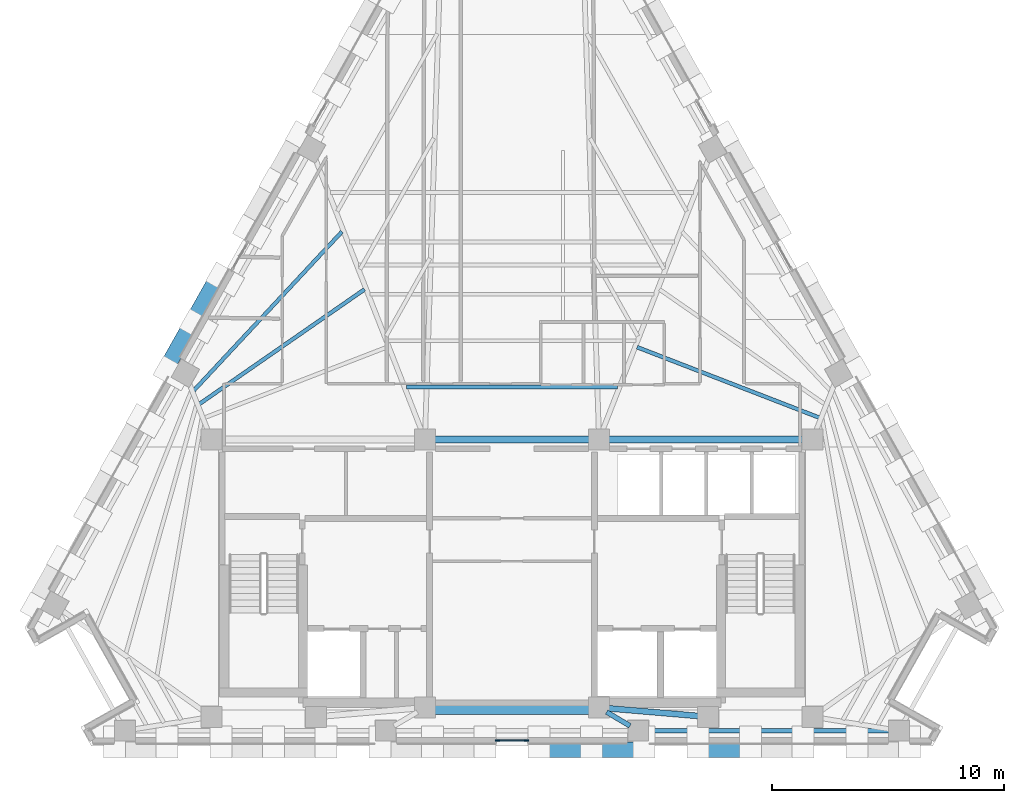
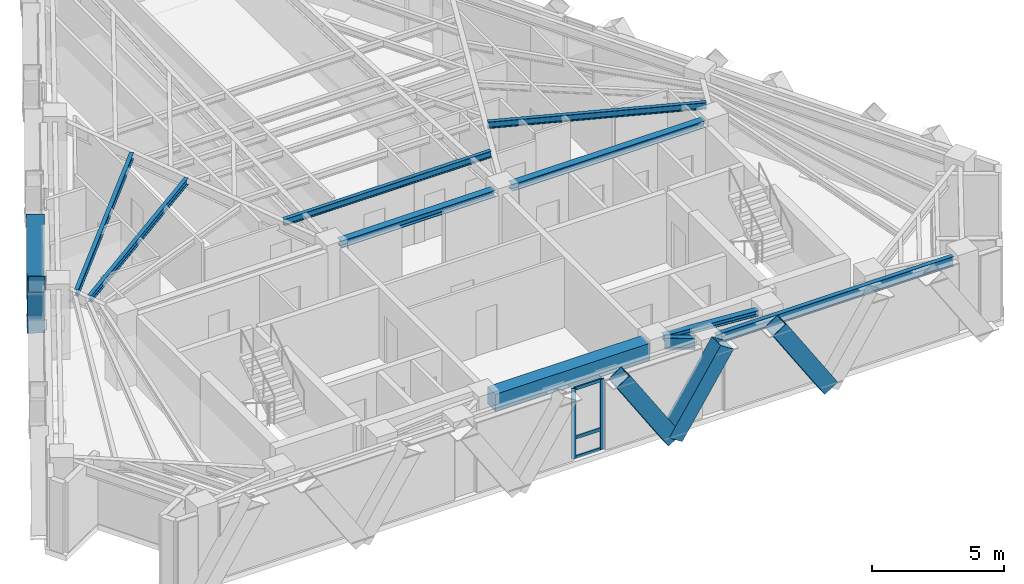
# One storey, part 2 of 12: 10 beams, 10 members, 1 element without a shape of its own.
"""IFC4 building model written with IfcOpenShell, lengths in metres."""

from ifc_helpers import new_model, si_unit, direction, frame, origin, origin_2d, place, context, subcontext, project, spatial, rectangle, hollow_rectangle, i_section, extrude, material, material_profile, profile_set, type_object, element, aggregate, save


model = new_model("IFC4")

# Units and contexts
model_context = context("Model", 3, precision=1e-05, world=origin(), true_north=direction((0.0, 1.0)))
body_context = subcontext(model_context, "Body", "Model", "MODEL_VIEW")
ifc_project = project(units=[si_unit("LENGTHUNIT", "METRE"), si_unit("AREAUNIT", "SQUARE_METRE"), si_unit("VOLUMEUNIT", "CUBIC_METRE"), si_unit("PLANEANGLEUNIT", "RADIAN"), si_unit("MASSUNIT", "GRAM", prefix="KILO")], contexts=[model_context])

# Site, building, storey
site_placement = place(None, origin())
site = spatial("IfcSite", under=ifc_project, at=site_placement, CompositionType="ELEMENT")
building_placement = place(site_placement, origin())
building = spatial("IfcBuilding", under=site, at=building_placement, Name="Quenlor Broadcast Tower", CompositionType="ELEMENT")
storey_placement = place(building_placement, frame((0.0, 0.0, 190.39990234375)))
storey = spatial("IfcBuildingStorey", under=building, at=storey_placement, Name="L52", CompositionType="ELEMENT", Elevation=190.39990234375)

# Curtain wall, members
ifc_material_1 = material(Name="Architectural Terracotta and Low-E Glazing", Category="masonry")
curtain_wall_type = type_object("IfcCurtainWallType", Name="Unitised Terracotta Curtain Wall System Z4", PredefinedType="NOTDEFINED", material=ifc_material_1)
curtain_wall_placement = place(storey_placement, origin())
curtain_wall = element("IfcCurtainWall", 1, at=curtain_wall_placement, inside=storey, type_object=curtain_wall_type, Name="L52 Curtain Wall CW4 (L52-S-G1)", PredefinedType="NOTDEFINED")
ifc_material_2 = material(Name="Aluminium 6063-T6", Category="aluminium")
ifc_material_profile_1 = material_profile(ifc_material_2, rectangle(XDim=0.068115234375, YDim=0.179931640625, at=origin_2d()))
ifc_profile_set_1 = profile_set([ifc_material_profile_1], Name="Aluminium 6063-T6 MULL68x180")
member_type_1 = type_object("IfcMemberType", Name="CW4 Aluminium Mullion MULL_CW4", PredefinedType="MULLION", material=ifc_profile_set_1)
member_1_placement = place(storey_placement, frame((0.62841796875, -17.77490234375, 0.0), z_axis=(0.0, 0.0, 1.0), x_axis=(0.0, -1.0, 0.0)))
member_1 = element("IfcMember", 2, at=member_1_placement, type_object=member_type_1, Name="CW4 mullion 1", PredefinedType="MULLION", context=body_context, shape_type="SweptSolid", body=[
    extrude(rectangle(XDim=0.068115234375, YDim=0.179931640625, at=origin_2d()), origin(), (0.0, 0.0, 1.0), 3.25),
])
member_2_placement = place(storey_placement, frame((-0.62841796875, -17.77490234375, 0.0), z_axis=(0.0, 0.0, 1.0), x_axis=(0.0, -1.0, 0.0)))
member_2 = element("IfcMember", 3, at=member_2_placement, type_object=member_type_1, Name="CW4 mullion 2", PredefinedType="MULLION", context=body_context, shape_type="SweptSolid", body=[
    extrude(rectangle(XDim=0.068115234375, YDim=0.179931640625, at=origin_2d()), origin(), (0.0, 0.0, 1.0), 3.25),
])
ifc_material_3 = material(Name="Aluminium 6063-T6", Category="aluminium")
ifc_material_profile_2 = material_profile(ifc_material_3, rectangle(XDim=0.068115234375, YDim=0.14990234375, at=origin_2d()))
ifc_profile_set_2 = profile_set([ifc_material_profile_2], Name="Aluminium 6063-T6 TRAN68x150")
member_type_2 = type_object("IfcMemberType", Name="CW4 Aluminium Transom TRAN_CW4", PredefinedType="USERDEFINED", material=ifc_profile_set_2)
member_3_placement = place(storey_placement, frame((0.59423828125, -17.77490234375, 0.0341796875), z_axis=(-1.0, 0.0, 0.0), x_axis=(0.0, -1.0, 0.0)))
member_3 = element("IfcMember", 4, at=member_3_placement, type_object=member_type_2, Name="CW4 transom 1.1", ObjectType="TRANSOM", PredefinedType="USERDEFINED", context=body_context, shape_type="SweptSolid", body=[
    extrude(rectangle(XDim=0.068115234375, YDim=0.14990234375, at=origin_2d()), origin(), (0.0, 0.0, 1.0), 1.1884765625),
])
member_4_placement = place(storey_placement, frame((0.59423828125, -17.77490234375, 0.9501953125), z_axis=(-1.0, 0.0, 0.0), x_axis=(0.0, -1.0, 0.0)))
member_4 = element("IfcMember", 5, at=member_4_placement, type_object=member_type_2, Name="CW4 transom 1.2", ObjectType="TRANSOM", PredefinedType="USERDEFINED", context=body_context, shape_type="SweptSolid", body=[
    extrude(rectangle(XDim=0.068115234375, YDim=0.14990234375, at=origin_2d()), origin(), (0.0, 0.0, 1.0), 1.1884765625),
])
member_5_placement = place(storey_placement, frame((0.59423828125, -17.77490234375, 3.216064453125), z_axis=(-1.0, 0.0, 0.0), x_axis=(0.0, -1.0, 0.0)))
member_5 = element("IfcMember", 6, at=member_5_placement, type_object=member_type_2, Name="CW4 transom 1.3", ObjectType="TRANSOM", PredefinedType="USERDEFINED", context=body_context, shape_type="SweptSolid", body=[
    extrude(rectangle(XDim=0.068115234375, YDim=0.14990234375, at=origin_2d()), origin(), (0.0, 0.0, 1.0), 1.1884765625),
])
aggregate(curtain_wall, [member_1, member_2, member_3, member_4, member_5])

# Beams
ifc_material_4 = material(Name="Concrete C50/60", Category="concrete")
ifc_material_profile_3 = material_profile(ifc_material_4, rectangle(XDim=0.60009765625, YDim=0.800048828125, at=origin_2d()))
ifc_profile_set_3 = profile_set([ifc_material_profile_3], Name="Concrete C50/60 RCB600x800")
beam_type_1 = type_object("IfcBeamType", Name="Core Coupling Beam Concrete C50/60 600x800", PredefinedType="BEAM", material=ifc_profile_set_3)
beam_1_placement = place(storey_placement, frame((-3.389892578125, -16.35009765625, 2.85009765625), z_axis=(1.0, 0.0, 0.0), x_axis=(0.0, 1.0, 0.0)))
element("IfcBeam", 7, at=beam_1_placement, inside=storey, type_object=beam_type_1, Name="L52 Core Coupling Beam 6", PredefinedType="BEAM", context=body_context, shape_type="SweptSolid", body=[
    extrude(rectangle(XDim=0.60009765625, YDim=0.800048828125, at=origin_2d()), origin(), (0.0, 0.0, 1.0), 6.77978515625),
])
ifc_material_5 = material(Name="Steel S355", Category="steel")
ifc_material_profile_4 = material_profile(ifc_material_5, i_section(OverallWidth=0.304931640625, OverallDepth=0.30810546875, WebThickness=0.010009765625, FlangeThickness=0.015380859375, FilletRadius=0.0166015625, at=origin_2d()))
ifc_profile_set_4 = profile_set([ifc_material_profile_4], Name="Steel S355 310UC96.8")
beam_type_2 = type_object("IfcBeamType", Name="Core Header Beam Steel S355 310UC96.8", PredefinedType="BEAM", material=ifc_profile_set_4)
beam_2_placement = place(storey_placement, frame((-3.389892578125, -4.800048828125, 3.09619140625), z_axis=(1.0, 0.0, 0.0), x_axis=(0.0, 1.0, 0.0)))
element("IfcBeam", 8, at=beam_2_placement, inside=storey, type_object=beam_type_2, Name="L52 Core Header Beam 2", PredefinedType="BEAM", context=body_context, shape_type="SweptSolid", body=[
    extrude(i_section(OverallWidth=0.304931640625, OverallDepth=0.30810546875, WebThickness=0.010009765625, FlangeThickness=0.015380859375, FilletRadius=0.0166015625, at=origin_2d()), origin(), (0.0, 0.0, 1.0), 6.77978515625),
])
ifc_material_6 = material(Name="Steel S355", Category="steel")
ifc_material_profile_5 = material_profile(ifc_material_6, i_section(OverallWidth=0.25390625, OverallDepth=0.25390625, WebThickness=0.008544921875, FlangeThickness=0.01416015625, FilletRadius=0.013916015625, at=origin_2d()))
ifc_profile_set_5 = profile_set([ifc_material_profile_5], Name="Steel S355 250UC72.9")
beam_type_3 = type_object("IfcBeamType", Name="Core Opening Lintel Beam Steel S355 250UC72.9", PredefinedType="LINTEL", material=ifc_profile_set_5)
beam_3_placement = place(storey_placement, frame((4.108642578125, -16.380615234375, 3.123291015625), z_axis=(0.996399763903, -0.084779186679, 0.0), x_axis=(0.084779186679, 0.996399763903, 0.0)))
element("IfcBeam", 9, at=beam_3_placement, inside=storey, type_object=beam_type_3, Name="L52 Core Opening Lintel Beam 5", PredefinedType="LINTEL", context=body_context, shape_type="SweptSolid", body=[
    extrude(i_section(OverallWidth=0.25390625, OverallDepth=0.25390625, WebThickness=0.008544921875, FlangeThickness=0.01416015625, FilletRadius=0.013916015625, at=origin_2d()), origin(), (0.0, 0.0, 1.0), 3.9970703125),
])
ifc_material_7 = material(Name="Steel S355", Category="steel")
ifc_material_profile_6 = material_profile(ifc_material_7, i_section(OverallWidth=0.306884765625, OverallDepth=0.314697265625, WebThickness=0.011962890625, FlangeThickness=0.018798828125, FilletRadius=0.0166015625, at=origin_2d()))
ifc_profile_set_6 = profile_set([ifc_material_profile_6], Name="Steel S355 310UC118")
beam_type_4 = type_object("IfcBeamType", Name="Core Tie Beam Steel S355 310UC118", PredefinedType="BEAM", material=ifc_profile_set_6)
beam_4_placement = place(storey_placement, frame((4.110107421875, -4.800048828125, 3.0927734375), z_axis=(1.0, 0.0, 0.0), x_axis=(0.0, 1.0, 0.0)))
element("IfcBeam", 10, at=beam_4_placement, inside=storey, type_object=beam_type_4, Name="L52 Core Tie Beam 3", PredefinedType="BEAM", context=body_context, shape_type="SweptSolid", body=[
    extrude(i_section(OverallWidth=0.306884765625, OverallDepth=0.314697265625, WebThickness=0.011962890625, FlangeThickness=0.018798828125, FilletRadius=0.0166015625, at=origin_2d()), origin(), (0.0, 0.0, 1.0), 8.47998046875),
])

# Members
ifc_material_8 = material(Name="Steel S355", Category="steel")
ifc_material_profile_7 = material_profile(ifc_material_8, hollow_rectangle(XDim=0.679931640625, YDim=0.679931640625, WallThickness=0.02490234375, at=origin_2d()))
ifc_profile_set_7 = profile_set([ifc_material_profile_7], Name="Steel S355 RHS680x680x25")
member_type_3 = type_object("IfcMemberType", Name="Perimeter Diagonal Lattice Brace Z3-Z4 Steel S355 RHS680x25", PredefinedType="BRACE", material=ifc_profile_set_7)
for number, where, z_axis, x_axis, name in (
    (11, (10.261962890625, -18.169921875, -0.119873046875), (-0.541794306908, 0.0, 0.840511111766), (0.0, -1.0, 0.0), "L52 Perimeter Diamond Lattice S-C2S"),
    (12, (3.43896484375, -18.169921875, -0.119873046875), (0.541794306908, 0.0, 0.840511111766), (0.0, 1.0, 0.0), "L52 Perimeter Diamond Lattice S-C2B"),
    (13, (3.41162109375, -18.169921875, -0.119873046875), (-0.541794306908, 0.0, 0.840511111766), (0.0, -1.0, 0.0), "L52 Perimeter Diamond Lattice S-C3S"),
):
    element("IfcMember", number, at=place(storey_placement, frame(where, z_axis=z_axis, x_axis=x_axis)), inside=storey, type_object=member_type_3, Name=name, PredefinedType="BRACE", context=body_context, shape_type="SweptSolid", body=[
        extrude(hollow_rectangle(XDim=0.679931640625, YDim=0.679931640625, WallThickness=0.02490234375, at=origin_2d()), origin(), (0.0, 0.0, 1.0), 4.1640625),
    ])
for number, where, z_axis, x_axis, name in (
    (14, (-13.794677734375, 0.22314453125, -0.119873046875), (-0.269485495908, -0.479188912076, 0.835317636614), (0.871620820774, -0.490180726664, 0.0), "L52 Perimeter Diamond Lattice NW-C2B"),
    (15, (-13.781005859375, 0.24755859375, -0.119873046875), (0.269547055694, 0.479136497832, 0.835327840559), (-0.871550060774, 0.49030652817, 0.0), "L52 Perimeter Diamond Lattice NW-C3S"),
):
    element("IfcMember", number, at=place(storey_placement, frame(where, z_axis=z_axis, x_axis=x_axis)), inside=storey, type_object=member_type_3, Name=name, PredefinedType="BRACE", context=body_context, shape_type="SweptSolid", body=[
        extrude(hollow_rectangle(XDim=0.679931640625, YDim=0.679931640625, WallThickness=0.02490234375, at=origin_2d()), origin(), (0.0, 0.0, 1.0), 4.18994140625),
    ])

# Beams
ifc_material_9 = material(Name="Steel S355", Category="steel")
ifc_material_profile_8 = material_profile(ifc_material_9, i_section(OverallWidth=0.18994140625, OverallDepth=0.453857421875, WebThickness=0.008544921875, FlangeThickness=0.0126953125, FilletRadius=0.011474609375, at=origin_2d()))
ifc_profile_set_8 = profile_set([ifc_material_profile_8], Name="Steel S355 460UB67.1")
beam_type_5 = type_object("IfcBeamType", Name="Perimeter Spandrel Beam Z4 Steel S355 460UB67.1", PredefinedType="SPANDREL", material=ifc_profile_set_8)
beam_5_placement = place(storey_placement, frame((5.847900390625, -17.35009765625, 3.023193359375), z_axis=(1.0, 0.0, 0.0), x_axis=(0.0, 1.0, 0.0)))
element("IfcBeam", 16, at=beam_5_placement, inside=storey, type_object=beam_type_5, Name="L52 Spandrel Beam S3-S4", PredefinedType="SPANDREL", context=body_context, shape_type="SweptSolid", body=[
    extrude(i_section(OverallWidth=0.18994140625, OverallDepth=0.453857421875, WebThickness=0.008544921875, FlangeThickness=0.0126953125, FilletRadius=0.011474609375, at=origin_2d()), origin(), (0.0, 0.0, 1.0), 10.41796875),
])
ifc_material_10 = material(Name="Steel S355", Category="steel")
ifc_material_profile_9 = material_profile(ifc_material_10, i_section(OverallWidth=0.166015625, OverallDepth=0.30712890625, WebThickness=0.006591796875, FlangeThickness=0.01171875, FilletRadius=0.011474609375, at=origin_2d()))
ifc_profile_set_9 = profile_set([ifc_material_profile_9], Name="Steel S355 310UB46.2")
beam_type_6 = type_object("IfcBeamType", Name="Tower Composite Joist Z4-Z5 Steel S355 310UB46.2", PredefinedType="JOIST", material=ifc_profile_set_9)
beam_6_placement = place(storey_placement, frame((-4.550048828125, -2.54736328125, 3.096435546875), z_axis=(1.0, 0.0, 0.0), x_axis=(0.0, 1.0, 0.0)))
element("IfcBeam", 17, at=beam_6_placement, inside=storey, type_object=beam_type_6, Name="L52 Secondary Composite Joist 1", PredefinedType="JOIST", context=body_context, shape_type="SweptSolid", body=[
    extrude(i_section(OverallWidth=0.166015625, OverallDepth=0.30712890625, WebThickness=0.006591796875, FlangeThickness=0.01171875, FilletRadius=0.011474609375, at=origin_2d()), origin(), (0.0, 0.0, 1.0), 9.10009765625),
])
beam_7_placement = place(storey_placement, frame((-13.470458984375, -3.273681640625, 3.096435546875), z_axis=(0.821539857981, 0.570151086773, 0.0), x_axis=(-0.570151086773, 0.821539857981, 0.0)))
element("IfcBeam", 18, at=beam_7_placement, inside=storey, type_object=beam_type_6, Name="L52 Secondary Composite Joist 8", PredefinedType="JOIST", context=body_context, shape_type="SweptSolid", body=[
    extrude(i_section(OverallWidth=0.166015625, OverallDepth=0.30712890625, WebThickness=0.006591796875, FlangeThickness=0.01171875, FilletRadius=0.011474609375, at=origin_2d()), origin(), (0.0, 0.0, 1.0), 8.656982421875),
])
beam_8_placement = place(storey_placement, frame((-13.707275390625, -2.691162109375, 3.096435546875), z_axis=(0.682034672805, 0.731319837754, 0.0), x_axis=(-0.731319837754, 0.682034672805, 0.0)))
element("IfcBeam", 19, at=beam_8_placement, inside=storey, type_object=beam_type_6, Name="L52 Secondary Composite Joist 9", PredefinedType="JOIST", context=body_context, shape_type="SweptSolid", body=[
    extrude(i_section(OverallWidth=0.166015625, OverallDepth=0.30712890625, WebThickness=0.006591796875, FlangeThickness=0.01171875, FilletRadius=0.011474609375, at=origin_2d()), origin(), (0.0, 0.0, 1.0), 9.357421875),
])
beam_9_placement = place(storey_placement, frame((13.236083984375, -3.85986328125, 3.096435546875), z_axis=(-0.932639299023, 0.360810113381, 0.0), x_axis=(-0.360810113381, -0.932639299023, 0.0)))
element("IfcBeam", 20, at=beam_9_placement, inside=storey, type_object=beam_type_6, Name="L52 Secondary Composite Joist 10", PredefinedType="JOIST", context=body_context, shape_type="SweptSolid", body=[
    extrude(i_section(OverallWidth=0.166015625, OverallDepth=0.30712890625, WebThickness=0.006591796875, FlangeThickness=0.01171875, FilletRadius=0.011474609375, at=origin_2d()), origin(), (0.0, 0.0, 1.0), 8.413330078125),
])
ifc_material_11 = material(Name="Steel S355", Category="steel")
ifc_material_profile_10 = material_profile(ifc_material_11, i_section(OverallWidth=0.208984375, OverallDepth=0.5283203125, WebThickness=0.009521484375, FlangeThickness=0.01318359375, FilletRadius=0.013916015625, at=origin_2d()))
ifc_profile_set_10 = profile_set([ifc_material_profile_10], Name="Steel S355 530UB82.0")
beam_type_7 = type_object("IfcBeamType", Name="Tower Primary Floor Beam Z4 Steel S355 530UB82.0", PredefinedType="BEAM", material=ifc_profile_set_10)
beam_10_placement = place(storey_placement, frame((5.085205078125, -17.14111328125, 2.986083984375), z_axis=(-0.86032875258, 0.509739578102, 0.0), x_axis=(-0.509739578102, -0.86032875258, 0.0)))
element("IfcBeam", 21, at=beam_10_placement, inside=storey, type_object=beam_type_7, Name="L52 Primary Radial Beam S3", PredefinedType="BEAM", context=body_context, shape_type="SweptSolid", body=[
    extrude(i_section(OverallWidth=0.208984375, OverallDepth=0.5283203125, WebThickness=0.009521484375, FlangeThickness=0.01318359375, FilletRadius=0.013916015625, at=origin_2d()), origin(), (0.0, 0.0, 1.0), 1.171875),
])

save(model, "model.ifc")
